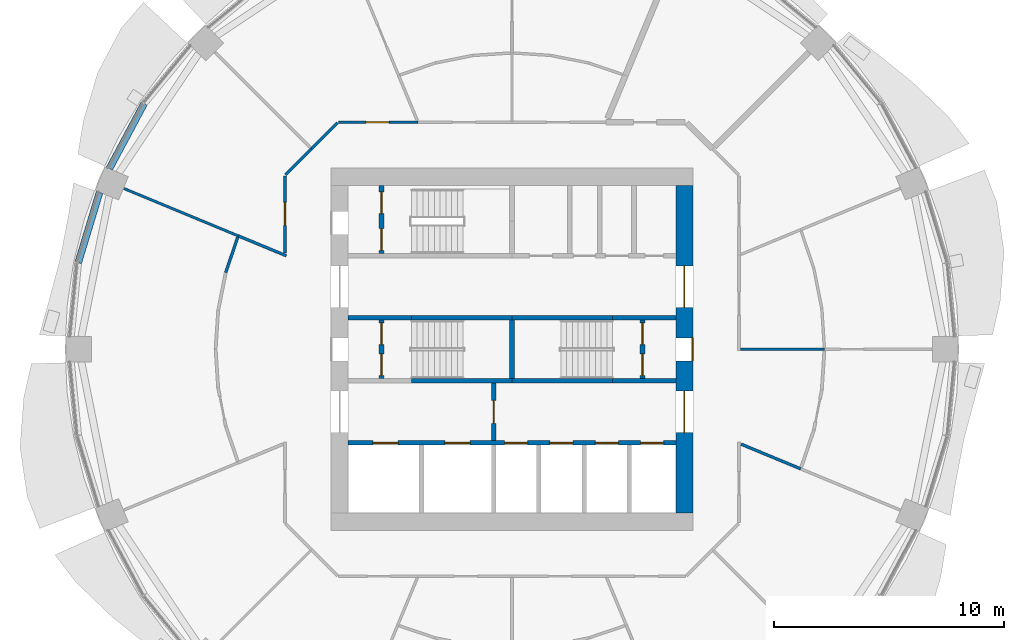
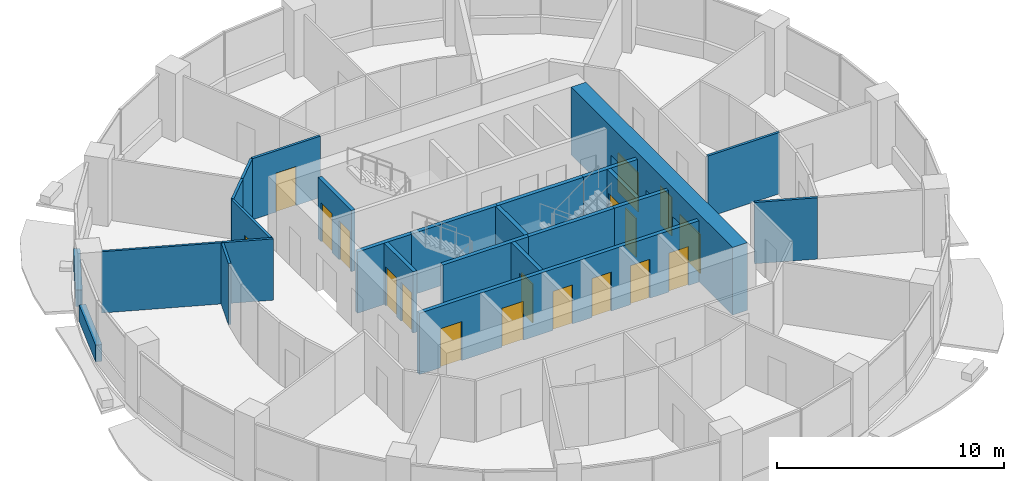
# One storey, part 9 of 15: 25 walls, 18 doors, 18 openings.
"""IFC4 building model written with IfcOpenShell, lengths in metres."""

from ifc_helpers import new_model, si_unit, direction, frame, frame_2d, origin, place, context, subcontext, project, spatial, rectangle, extrude, material, layer, layer_set, type_object, element, fill, save


model = new_model("IFC4")

# Units and contexts
model_context = context("Model", 3, precision=1e-05, world=origin(), true_north=direction((0.0, 1.0)))
body_context = subcontext(model_context, "Body", "Model", "MODEL_VIEW")
ifc_project = project(units=[si_unit("LENGTHUNIT", "METRE"), si_unit("AREAUNIT", "SQUARE_METRE"), si_unit("VOLUMEUNIT", "CUBIC_METRE"), si_unit("PLANEANGLEUNIT", "RADIAN"), si_unit("MASSUNIT", "GRAM", prefix="KILO")], contexts=[model_context])

# Site, building, storey
site_placement = place(None, origin())
site = spatial("IfcSite", under=ifc_project, at=site_placement, CompositionType="ELEMENT")
building_placement = place(site_placement, origin())
building = spatial("IfcBuilding", under=site, at=building_placement, Name="Polderwave Tower", CompositionType="ELEMENT")
storey_placement = place(building_placement, frame((0.0, 0.0, 80.050048828125)))
storey = spatial("IfcBuildingStorey", under=building, at=storey_placement, Name="L20", CompositionType="ELEMENT", Elevation=80.050048828125)

# Wall, openings, doors
ifc_material_1 = material(Name="Concrete C70/85", Category="concrete")
ifc_layer_1 = layer(ifc_material_1, 0.75)
ifc_layer_set_1 = layer_set([ifc_layer_1], Name="CORE WALL 750 C70/85")
wall_type_1 = type_object("IfcWallType", Name="CORE WALL 750 C70/85", PredefinedType="SHEAR", material=ifc_layer_set_1)
wall_1_placement = place(storey_placement, frame((7.4990234375, -7.1240234375, 0.0), z_axis=(0.0, 0.0, 1.0), x_axis=(0.0, 1.0, 0.0)))
wall_1 = element("IfcWall", 1, at=wall_1_placement, inside=storey, type_object=wall_type_1, Name="ST-CORE-L20-E", PredefinedType="SHEAR", context=body_context, shape_type="SweptSolid", body=[
    extrude(rectangle(XDim=14.248046875, YDim=0.75, at=frame_2d((7.1240234375, 0.0))), origin(), (0.0, 0.0, 1.0), 3.64990234375),
])
opening_1_placement = place(wall_1_placement, frame((6.6240234375, 0.0, 0.0)))
opening_1 = element("IfcOpeningElement", 2, at=opening_1_placement, cuts=wall_1, Name="Opening L20-D22", PredefinedType="OPENING", context=body_context, shape_type="SweptSolid", body=[
    extrude(rectangle(XDim=1.0, YDim=2.10009765625, at=frame_2d((0.5, 1.050048828125))), frame((0.0, 0.385009765625, 0.0), z_axis=(0.0, -1.0, 0.0), x_axis=(1.0, 0.0, 0.0)), (0.0, 0.0, 1.0), 0.77001953125),
])
opening_2_placement = place(wall_1_placement, frame((3.49951171875, 0.0, 0.0)))
opening_2 = element("IfcOpeningElement", 3, at=opening_2_placement, cuts=wall_1, Name="Opening L20-D23", PredefinedType="OPENING", context=body_context, shape_type="SweptSolid", body=[
    extrude(rectangle(XDim=1.800048828125, YDim=2.10009765625, at=frame_2d((0.89990234375, 1.050048828125))), frame((0.0, 0.385009765625, 0.0), z_axis=(0.0, -1.0, 0.0), x_axis=(1.0, 0.0, 0.0)), (0.0, 0.0, 1.0), 0.77001953125),
])
opening_3_placement = place(wall_1_placement, frame((8.948486328125, 0.0, 0.0)))
opening_3 = element("IfcOpeningElement", 4, at=opening_3_placement, cuts=wall_1, Name="Opening L20-D24", PredefinedType="OPENING", context=body_context, shape_type="SweptSolid", body=[
    extrude(rectangle(XDim=1.800048828125, YDim=2.10009765625, at=frame_2d((0.89990234375, 1.050048828125))), frame((0.0, 0.385009765625, 0.0), z_axis=(0.0, -1.0, 0.0), x_axis=(1.0, 0.0, 0.0)), (0.0, 0.0, 1.0), 0.77001953125),
])
ifc_material_2 = material(Name="Steel fire door", Category="steel")
door_type_1 = type_object("IfcDoorType", Name="Lobby entry door pair 1800", OperationType="DOUBLE_DOOR_SINGLE_SWING", PredefinedType="DOOR", material=ifc_material_2)
door_1_placement = place(opening_2_placement, frame((1.800048828125, 0.0, 0.0), z_axis=(0.0, 0.0, 1.0), x_axis=(-1.0, 0.0, 0.0)))
door_1 = element("IfcDoor", 5, at=door_1_placement, inside=storey, type_object=door_type_1, Name="South lobby entry door", OperationType="DOUBLE_DOOR_SINGLE_SWING", OverallHeight=2.10009765625, OverallWidth=1.800048828125, PredefinedType="DOOR", context=body_context, shape_type="SweptSolid", body=[
    extrude(rectangle(XDim=1.800048828125, YDim=2.10009765625, at=frame_2d((0.89990234375, 1.050048828125))), frame((0.0, 0.02490234375, 0.0), z_axis=(0.0, -1.0, 0.0), x_axis=(1.0, 0.0, 0.0)), (0.0, 0.0, 1.0), 0.050048828125),
])
fill(opening_2, door_1)
door_2_placement = place(opening_3_placement, frame((1.800048828125, 0.0, 0.0), z_axis=(0.0, 0.0, 1.0), x_axis=(-1.0, 0.0, 0.0)))
door_2 = element("IfcDoor", 6, at=door_2_placement, inside=storey, type_object=door_type_1, Name="North lobby entry door", OperationType="DOUBLE_DOOR_SINGLE_SWING", OverallHeight=2.10009765625, OverallWidth=1.800048828125, PredefinedType="DOOR", context=body_context, shape_type="SweptSolid", body=[
    extrude(rectangle(XDim=1.800048828125, YDim=2.10009765625, at=frame_2d((0.89990234375, 1.050048828125))), frame((0.0, 0.02490234375, 0.0), z_axis=(0.0, -1.0, 0.0), x_axis=(1.0, 0.0, 0.0)), (0.0, 0.0, 1.0), 0.050048828125),
])
fill(opening_3, door_2)
door_type_2 = type_object("IfcDoorType", Name="Stair door 1000", OperationType="NOTDEFINED", PredefinedType="DOOR", material=ifc_material_2)
door_3_placement = place(opening_1_placement, frame((1.0, 0.0, 0.0), z_axis=(0.0, 0.0, 1.0), x_axis=(-1.0, 0.0, 0.0)))
door_3 = element("IfcDoor", 7, at=door_3_placement, inside=storey, type_object=door_type_2, Name="Stair B entry door", OperationType="SINGLE_SWING_LEFT", OverallHeight=2.10009765625, OverallWidth=1.0, PredefinedType="DOOR", context=body_context, shape_type="SweptSolid", body=[
    extrude(rectangle(XDim=1.0, YDim=2.10009765625, at=frame_2d((0.5, 1.050048828125))), frame((0.0, 0.375, 0.0), z_axis=(0.0, -1.0, 0.0), x_axis=(1.0, 0.0, 0.0)), (0.0, 0.0, 1.0), 0.050048828125),
])
fill(opening_1, door_3)

# Walls
ifc_material_3 = material(Name="Concrete C50/60 (board-marked)", Category="concrete")
ifc_layer_2 = layer(ifc_material_3, 0.300048828125)
ifc_layer_set_2 = layer_set([ifc_layer_2], Name="Concrete spandrel upstand C50/60")
wall_type_2 = type_object("IfcWallType", Name="Concrete spandrel upstand C50/60", PredefinedType="SOLIDWALL", material=ifc_layer_set_2)
wall_2_placement = place(storey_placement, frame((-16.004150390625, 10.67578125, 0.0), z_axis=(0.0, 0.0, 1.0), x_axis=(-0.471354692163, -0.8819437364, 0.0)))
element("IfcWall", 8, at=wall_2_placement, inside=storey, type_object=wall_type_2, Name="Spandrel L20 7b", PredefinedType="SOLIDWALL", context=body_context, shape_type="SweptSolid", body=[
    extrude(rectangle(XDim=3.190185546875, YDim=0.300048828125, at=frame_2d((1.59521484375, 0.0))), origin(), (0.0, 0.0, 1.0), 0.89990234375),
])
wall_3_placement = place(storey_placement, frame((-17.939453125, 6.820556640625, 0.0), z_axis=(0.0, 0.0, 1.0), x_axis=(-0.290238876314, -0.956954228099, 0.0)))
element("IfcWall", 9, at=wall_3_placement, inside=storey, type_object=wall_type_2, Name="Spandrel L20 8a", PredefinedType="SOLIDWALL", context=body_context, shape_type="SweptSolid", body=[
    extrude(rectangle(XDim=3.190673828125, YDim=0.300048828125, at=frame_2d((1.59521484375, 0.0))), origin(), (0.0, 0.0, 1.0), 0.89990234375),
])

# Wall, opening, door
ifc_material_4 = material(Name="Gypsum board partition")
ifc_layer_3 = layer(ifc_material_4, 0.199951171875)
ifc_layer_set_3 = layer_set([ifc_layer_3], Name="Core room partition 200")
wall_type_3 = type_object("IfcWallType", Name="Core room partition 200", PredefinedType="PARTITIONING", material=ifc_layer_set_3)
wall_4_placement = place(storey_placement, frame((-0.800048828125, -3.97412109375, 0.0), z_axis=(0.0, 0.0, 1.0), x_axis=(0.0, 1.0, 0.0)))
wall_4 = element("IfcWall", 10, at=wall_4_placement, inside=storey, type_object=wall_type_3, Name="L20 fire-fighting lobby wall", PredefinedType="PARTITIONING", context=body_context, shape_type="SweptSolid", body=[
    extrude(rectangle(XDim=2.4990234375, YDim=0.199951171875, at=frame_2d((1.24951171875, 0.0))), origin(), (0.0, 0.0, 1.0), 3.300048828125),
])
opening_4_placement = place(wall_4_placement, frame((0.74951171875, 0.0, 0.0)))
opening_4 = element("IfcOpeningElement", 11, at=opening_4_placement, cuts=wall_4, Name="Opening L20-D13", PredefinedType="OPENING", context=body_context, shape_type="SweptSolid", body=[
    extrude(rectangle(XDim=1.0, YDim=2.10009765625, at=frame_2d((0.5, 1.050048828125))), frame((0.0, 0.10986328125, 0.0), z_axis=(0.0, -1.0, 0.0), x_axis=(1.0, 0.0, 0.0)), (0.0, 0.0, 1.0), 0.219970703125),
])
door_type_3 = type_object("IfcDoorType", Name="Lobby fire door 1000", OperationType="NOTDEFINED", PredefinedType="DOOR", material=ifc_material_2)
door_4_placement = place(opening_4_placement, frame((1.0, 0.0, 0.0), z_axis=(0.0, 0.0, 1.0), x_axis=(-1.0, 0.0, 0.0)))
door_4 = element("IfcDoor", 12, at=door_4_placement, inside=storey, type_object=door_type_3, Name="Fire-fighting lobby door", OperationType="SINGLE_SWING_LEFT", OverallHeight=2.10009765625, OverallWidth=1.0, PredefinedType="DOOR", context=body_context, shape_type="SweptSolid", body=[
    extrude(rectangle(XDim=1.0, YDim=2.10009765625, at=frame_2d((0.5, 1.050048828125))), frame((0.0, 0.02490234375, 0.0), z_axis=(0.0, -1.0, 0.0), x_axis=(1.0, 0.0, 0.0)), (0.0, 0.0, 1.0), 0.050048828125),
])
fill(opening_4, door_4)

# Wall, openings, doors
wall_5_placement = place(storey_placement, frame((-5.674072265625, -1.27490234375, 0.0), z_axis=(0.0, 0.0, 1.0), x_axis=(0.0, 1.0, 0.0)))
wall_5 = element("IfcWall", 13, at=wall_5_placement, inside=storey, type_object=wall_type_3, Name="L20 smoke lobby wall A", PredefinedType="PARTITIONING", context=body_context, shape_type="SweptSolid", body=[
    extrude(rectangle(XDim=2.5498046875, YDim=0.199951171875, at=frame_2d((1.27490234375, 0.0))), origin(), (0.0, 0.0, 1.0), 3.300048828125),
])
opening_5_placement = place(wall_5_placement, frame((0.125, 0.0, 0.0)))
opening_5 = element("IfcOpeningElement", 14, at=opening_5_placement, cuts=wall_5, Name="Opening L20-D07", PredefinedType="OPENING", context=body_context, shape_type="SweptSolid", body=[
    extrude(rectangle(XDim=0.949951171875, YDim=2.10009765625, at=frame_2d((0.47509765625, 1.050048828125))), frame((0.0, 0.10986328125, 0.0), z_axis=(0.0, -1.0, 0.0), x_axis=(1.0, 0.0, 0.0)), (0.0, 0.0, 1.0), 0.219970703125),
])
opening_6_placement = place(wall_5_placement, frame((1.47509765625, 0.0, 0.0)))
opening_6 = element("IfcOpeningElement", 15, at=opening_6_placement, cuts=wall_5, Name="Opening L20-D08", PredefinedType="OPENING", context=body_context, shape_type="SweptSolid", body=[
    extrude(rectangle(XDim=0.949951171875, YDim=2.10009765625, at=frame_2d((0.47509765625, 1.050048828125))), frame((0.0, 0.10986328125, 0.0), z_axis=(0.0, -1.0, 0.0), x_axis=(1.0, 0.0, 0.0)), (0.0, 0.0, 1.0), 0.219970703125),
])
door_type_4 = type_object("IfcDoorType", Name="Smoke lobby door 950", OperationType="NOTDEFINED", PredefinedType="DOOR", material=ifc_material_2)
door_5_placement = place(opening_5_placement, origin())
door_5 = element("IfcDoor", 16, at=door_5_placement, inside=storey, type_object=door_type_4, Name="Stair A smoke lobby inner door", OperationType="SINGLE_SWING_LEFT", OverallHeight=2.10009765625, OverallWidth=0.949951171875, PredefinedType="DOOR", context=body_context, shape_type="SweptSolid", body=[
    extrude(rectangle(XDim=0.949951171875, YDim=2.10009765625, at=frame_2d((0.47509765625, 1.050048828125))), frame((0.0, 0.02490234375, 0.0), z_axis=(0.0, -1.0, 0.0), x_axis=(1.0, 0.0, 0.0)), (0.0, 0.0, 1.0), 0.050048828125),
])
fill(opening_5, door_5)
door_6_placement = place(opening_6_placement, origin())
door_6 = element("IfcDoor", 17, at=door_6_placement, inside=storey, type_object=door_type_4, Name="Stair A smoke lobby inner door", OperationType="SINGLE_SWING_RIGHT", OverallHeight=2.10009765625, OverallWidth=0.949951171875, PredefinedType="DOOR", context=body_context, shape_type="SweptSolid", body=[
    extrude(rectangle(XDim=0.949951171875, YDim=2.10009765625, at=frame_2d((0.47509765625, 1.050048828125))), frame((0.0, 0.02490234375, 0.0), z_axis=(0.0, -1.0, 0.0), x_axis=(1.0, 0.0, 0.0)), (0.0, 0.0, 1.0), 0.050048828125),
])
fill(opening_6, door_6)

wall_6_placement = place(storey_placement, frame((5.674072265625, -1.27490234375, 0.0), z_axis=(0.0, 0.0, 1.0), x_axis=(0.0, 1.0, 0.0)))
wall_6 = element("IfcWall", 18, at=wall_6_placement, inside=storey, type_object=wall_type_3, Name="L20 smoke lobby wall B", PredefinedType="PARTITIONING", context=body_context, shape_type="SweptSolid", body=[
    extrude(rectangle(XDim=2.5498046875, YDim=0.199951171875, at=frame_2d((1.27490234375, 0.0))), origin(), (0.0, 0.0, 1.0), 3.300048828125),
])
opening_7_placement = place(wall_6_placement, frame((0.125, 0.0, 0.0)))
opening_7 = element("IfcOpeningElement", 19, at=opening_7_placement, cuts=wall_6, Name="Opening L20-D09", PredefinedType="OPENING", context=body_context, shape_type="SweptSolid", body=[
    extrude(rectangle(XDim=0.949951171875, YDim=2.10009765625, at=frame_2d((0.47509765625, 1.050048828125))), frame((0.0, 0.10986328125, 0.0), z_axis=(0.0, -1.0, 0.0), x_axis=(1.0, 0.0, 0.0)), (0.0, 0.0, 1.0), 0.219970703125),
])
opening_8_placement = place(wall_6_placement, frame((1.47509765625, 0.0, 0.0)))
opening_8 = element("IfcOpeningElement", 20, at=opening_8_placement, cuts=wall_6, Name="Opening L20-D10", PredefinedType="OPENING", context=body_context, shape_type="SweptSolid", body=[
    extrude(rectangle(XDim=0.949951171875, YDim=2.10009765625, at=frame_2d((0.47509765625, 1.050048828125))), frame((0.0, 0.10986328125, 0.0), z_axis=(0.0, -1.0, 0.0), x_axis=(1.0, 0.0, 0.0)), (0.0, 0.0, 1.0), 0.219970703125),
])
door_7_placement = place(opening_7_placement, frame((0.949951171875, 0.0, 0.0), z_axis=(0.0, 0.0, 1.0), x_axis=(-1.0, 0.0, 0.0)))
door_7 = element("IfcDoor", 21, at=door_7_placement, inside=storey, type_object=door_type_4, Name="Stair B smoke lobby inner door", OperationType="SINGLE_SWING_RIGHT", OverallHeight=2.10009765625, OverallWidth=0.949951171875, PredefinedType="DOOR", context=body_context, shape_type="SweptSolid", body=[
    extrude(rectangle(XDim=0.949951171875, YDim=2.10009765625, at=frame_2d((0.47509765625, 1.050048828125))), frame((0.0, 0.02490234375, 0.0), z_axis=(0.0, -1.0, 0.0), x_axis=(1.0, 0.0, 0.0)), (0.0, 0.0, 1.0), 0.050048828125),
])
fill(opening_7, door_7)
door_8_placement = place(opening_8_placement, frame((0.949951171875, 0.0, 0.0), z_axis=(0.0, 0.0, 1.0), x_axis=(-1.0, 0.0, 0.0)))
door_8 = element("IfcDoor", 22, at=door_8_placement, inside=storey, type_object=door_type_4, Name="Stair B smoke lobby inner door", OperationType="SINGLE_SWING_LEFT", OverallHeight=2.10009765625, OverallWidth=0.949951171875, PredefinedType="DOOR", context=body_context, shape_type="SweptSolid", body=[
    extrude(rectangle(XDim=0.949951171875, YDim=2.10009765625, at=frame_2d((0.47509765625, 1.050048828125))), frame((0.0, 0.02490234375, 0.0), z_axis=(0.0, -1.0, 0.0), x_axis=(1.0, 0.0, 0.0)), (0.0, 0.0, 1.0), 0.050048828125),
])
fill(opening_8, door_8)

wall_7_placement = place(storey_placement, frame((-5.674072265625, 4.174072265625, 0.0), z_axis=(0.0, 0.0, 1.0), x_axis=(0.0, 1.0, 0.0)))
wall_7 = element("IfcWall", 23, at=wall_7_placement, inside=storey, type_object=wall_type_3, Name="L20 smoke lobby wall C", PredefinedType="PARTITIONING", context=body_context, shape_type="SweptSolid", body=[
    extrude(rectangle(XDim=2.949951171875, YDim=0.199951171875, at=frame_2d((1.47509765625, 0.0))), origin(), (0.0, 0.0, 1.0), 3.300048828125),
])
opening_9_placement = place(wall_7_placement, frame((0.125, 0.0, 0.0)))
opening_9 = element("IfcOpeningElement", 24, at=opening_9_placement, cuts=wall_7, Name="Opening L20-D11", PredefinedType="OPENING", context=body_context, shape_type="SweptSolid", body=[
    extrude(rectangle(XDim=0.949951171875, YDim=2.10009765625, at=frame_2d((0.47509765625, 1.050048828125))), frame((0.0, 0.10986328125, 0.0), z_axis=(0.0, -1.0, 0.0), x_axis=(1.0, 0.0, 0.0)), (0.0, 0.0, 1.0), 0.219970703125),
])
opening_10_placement = place(wall_7_placement, frame((1.72509765625, 0.0, 0.0)))
opening_10 = element("IfcOpeningElement", 25, at=opening_10_placement, cuts=wall_7, Name="Opening L20-D12", PredefinedType="OPENING", context=body_context, shape_type="SweptSolid", body=[
    extrude(rectangle(XDim=0.949951171875, YDim=2.10009765625, at=frame_2d((0.47509765625, 1.050048828125))), frame((0.0, 0.10986328125, 0.0), z_axis=(0.0, -1.0, 0.0), x_axis=(1.0, 0.0, 0.0)), (0.0, 0.0, 1.0), 0.219970703125),
])
door_9_placement = place(opening_9_placement, origin())
door_9 = element("IfcDoor", 26, at=door_9_placement, inside=storey, type_object=door_type_4, Name="Stair C smoke lobby inner door", OperationType="SINGLE_SWING_LEFT", OverallHeight=2.10009765625, OverallWidth=0.949951171875, PredefinedType="DOOR", context=body_context, shape_type="SweptSolid", body=[
    extrude(rectangle(XDim=0.949951171875, YDim=2.10009765625, at=frame_2d((0.47509765625, 1.050048828125))), frame((0.0, 0.02490234375, 0.0), z_axis=(0.0, -1.0, 0.0), x_axis=(1.0, 0.0, 0.0)), (0.0, 0.0, 1.0), 0.050048828125),
])
fill(opening_9, door_9)
door_10_placement = place(opening_10_placement, origin())
door_10 = element("IfcDoor", 27, at=door_10_placement, inside=storey, type_object=door_type_4, Name="Stair C smoke lobby inner door", OperationType="SINGLE_SWING_RIGHT", OverallHeight=2.10009765625, OverallWidth=0.949951171875, PredefinedType="DOOR", context=body_context, shape_type="SweptSolid", body=[
    extrude(rectangle(XDim=0.949951171875, YDim=2.10009765625, at=frame_2d((0.47509765625, 1.050048828125))), frame((0.0, 0.02490234375, 0.0), z_axis=(0.0, -1.0, 0.0), x_axis=(1.0, 0.0, 0.0)), (0.0, 0.0, 1.0), 0.050048828125),
])
fill(opening_10, door_10)

ifc_material_5 = material(Name="Concrete C50/60", Category="concrete")
ifc_layer_4 = layer(ifc_material_5, 0.199951171875)
ifc_layer_set_4 = layer_set([ifc_layer_4], Name="Core web wall 200")
wall_type_4 = type_object("IfcWallType", Name="Core web wall 200", PredefinedType="SHEAR", material=ifc_layer_set_4)
wall_8_placement = place(storey_placement, frame((-7.1240234375, -4.073974609375, 0.0), z_axis=(0.0, 0.0, 1.0), x_axis=(1.0, 0.0, 0.0)))
wall_8 = element("IfcWall", 28, at=wall_8_placement, inside=storey, type_object=wall_type_4, Name="L20 south front wall", PredefinedType="SHEAR", context=body_context, shape_type="SweptSolid", body=[
    extrude(rectangle(XDim=14.248046875, YDim=0.199951171875, at=frame_2d((7.1240234375, 0.0))), origin(), (0.0, 0.0, 1.0), 3.300048828125),
])
opening_11_placement = place(wall_8_placement, frame((1.068603515625, 0.0, 0.0)))
opening_11 = element("IfcOpeningElement", 29, at=opening_11_placement, cuts=wall_8, Name="Opening L20-D01", PredefinedType="OPENING", context=body_context, shape_type="SweptSolid", body=[
    extrude(rectangle(XDim=1.10009765625, YDim=2.10009765625, at=frame_2d((0.550048828125, 1.050048828125))), frame((0.0, 0.10986328125, 0.0), z_axis=(0.0, -1.0, 0.0), x_axis=(1.0, 0.0, 0.0)), (0.0, 0.0, 1.0), 0.219970703125),
])
opening_12_placement = place(wall_8_placement, frame((4.20556640625, 0.0, 0.0)))
opening_12 = element("IfcOpeningElement", 30, at=opening_12_placement, cuts=wall_8, Name="Opening L20-D02", PredefinedType="OPENING", context=body_context, shape_type="SweptSolid", body=[
    extrude(rectangle(XDim=1.10009765625, YDim=2.10009765625, at=frame_2d((0.550048828125, 1.050048828125))), frame((0.0, 0.10986328125, 0.0), z_axis=(0.0, -1.0, 0.0), x_axis=(1.0, 0.0, 0.0)), (0.0, 0.0, 1.0), 0.219970703125),
])
opening_13_placement = place(wall_8_placement, frame((6.80810546875, 0.0, 0.0)))
opening_13 = element("IfcOpeningElement", 31, at=opening_13_placement, cuts=wall_8, Name="Opening L20-D03", PredefinedType="OPENING", context=body_context, shape_type="SweptSolid", body=[
    extrude(rectangle(XDim=1.0, YDim=2.10009765625, at=frame_2d((0.5, 1.050048828125))), frame((0.0, 0.10986328125, 0.0), z_axis=(0.0, -1.0, 0.0), x_axis=(1.0, 0.0, 0.0)), (0.0, 0.0, 1.0), 0.219970703125),
])
opening_14_placement = place(wall_8_placement, frame((8.776611328125, 0.0, 0.0)))
opening_14 = element("IfcOpeningElement", 32, at=opening_14_placement, cuts=wall_8, Name="Opening L20-D04", PredefinedType="OPENING", context=body_context, shape_type="SweptSolid", body=[
    extrude(rectangle(XDim=1.0, YDim=2.10009765625, at=frame_2d((0.5, 1.050048828125))), frame((0.0, 0.10986328125, 0.0), z_axis=(0.0, -1.0, 0.0), x_axis=(1.0, 0.0, 0.0)), (0.0, 0.0, 1.0), 0.219970703125),
])
opening_15_placement = place(wall_8_placement, frame((10.7451171875, 0.0, 0.0)))
opening_15 = element("IfcOpeningElement", 33, at=opening_15_placement, cuts=wall_8, Name="Opening L20-D05", PredefinedType="OPENING", context=body_context, shape_type="SweptSolid", body=[
    extrude(rectangle(XDim=1.0, YDim=2.10009765625, at=frame_2d((0.5, 1.050048828125))), frame((0.0, 0.10986328125, 0.0), z_axis=(0.0, -1.0, 0.0), x_axis=(1.0, 0.0, 0.0)), (0.0, 0.0, 1.0), 0.219970703125),
])
opening_16_placement = place(wall_8_placement, frame((12.7138671875, 0.0, 0.0)))
opening_16 = element("IfcOpeningElement", 34, at=opening_16_placement, cuts=wall_8, Name="Opening L20-D06", PredefinedType="OPENING", context=body_context, shape_type="SweptSolid", body=[
    extrude(rectangle(XDim=1.0, YDim=2.10009765625, at=frame_2d((0.5, 1.050048828125))), frame((0.0, 0.10986328125, 0.0), z_axis=(0.0, -1.0, 0.0), x_axis=(1.0, 0.0, 0.0)), (0.0, 0.0, 1.0), 0.219970703125),
])
ifc_material_6 = material(Name="Stainless steel", Category="steel")
door_type_5 = type_object("IfcDoorType", Name="Fire-fighting lift landing door 1100", OperationType="DOUBLE_DOOR_SLIDING", PredefinedType="DOOR", material=ifc_material_6)
door_11_placement = place(opening_11_placement, origin())
door_11 = element("IfcDoor", 35, at=door_11_placement, inside=storey, type_object=door_type_5, Name="Fire-fighting lift FF1 landing door", OperationType="DOUBLE_DOOR_SLIDING", OverallHeight=2.10009765625, OverallWidth=1.10009765625, PredefinedType="DOOR", context=body_context, shape_type="SweptSolid", body=[
    extrude(rectangle(XDim=1.10009765625, YDim=2.10009765625, at=frame_2d((0.550048828125, 1.050048828125))), frame((0.0, 0.02490234375, 0.0), z_axis=(0.0, -1.0, 0.0), x_axis=(1.0, 0.0, 0.0)), (0.0, 0.0, 1.0), 0.050048828125),
])
fill(opening_11, door_11)
door_12_placement = place(opening_12_placement, origin())
door_12 = element("IfcDoor", 36, at=door_12_placement, inside=storey, type_object=door_type_5, Name="Fire-fighting lift FF2 landing door", OperationType="DOUBLE_DOOR_SLIDING", OverallHeight=2.10009765625, OverallWidth=1.10009765625, PredefinedType="DOOR", context=body_context, shape_type="SweptSolid", body=[
    extrude(rectangle(XDim=1.10009765625, YDim=2.10009765625, at=frame_2d((0.550048828125, 1.050048828125))), frame((0.0, 0.02490234375, 0.0), z_axis=(0.0, -1.0, 0.0), x_axis=(1.0, 0.0, 0.0)), (0.0, 0.0, 1.0), 0.050048828125),
])
fill(opening_12, door_12)
door_type_6 = type_object("IfcDoorType", Name="Lift landing door 1000", OperationType="DOUBLE_DOOR_SLIDING", PredefinedType="DOOR", material=ifc_material_6)
door_13_placement = place(opening_13_placement, origin())
door_13 = element("IfcDoor", 37, at=door_13_placement, inside=storey, type_object=door_type_6, Name="Lift LL1 landing door", OperationType="DOUBLE_DOOR_SLIDING", OverallHeight=2.10009765625, OverallWidth=1.0, PredefinedType="DOOR", context=body_context, shape_type="SweptSolid", body=[
    extrude(rectangle(XDim=1.0, YDim=2.10009765625, at=frame_2d((0.5, 1.050048828125))), frame((0.0, 0.02490234375, 0.0), z_axis=(0.0, -1.0, 0.0), x_axis=(1.0, 0.0, 0.0)), (0.0, 0.0, 1.0), 0.050048828125),
])
fill(opening_13, door_13)
door_14_placement = place(opening_14_placement, origin())
door_14 = element("IfcDoor", 38, at=door_14_placement, inside=storey, type_object=door_type_6, Name="Lift LL2 landing door", OperationType="DOUBLE_DOOR_SLIDING", OverallHeight=2.10009765625, OverallWidth=1.0, PredefinedType="DOOR", context=body_context, shape_type="SweptSolid", body=[
    extrude(rectangle(XDim=1.0, YDim=2.10009765625, at=frame_2d((0.5, 1.050048828125))), frame((0.0, 0.02490234375, 0.0), z_axis=(0.0, -1.0, 0.0), x_axis=(1.0, 0.0, 0.0)), (0.0, 0.0, 1.0), 0.050048828125),
])
fill(opening_14, door_14)
door_15_placement = place(opening_15_placement, origin())
door_15 = element("IfcDoor", 39, at=door_15_placement, inside=storey, type_object=door_type_6, Name="Lift LL3 landing door", OperationType="DOUBLE_DOOR_SLIDING", OverallHeight=2.10009765625, OverallWidth=1.0, PredefinedType="DOOR", context=body_context, shape_type="SweptSolid", body=[
    extrude(rectangle(XDim=1.0, YDim=2.10009765625, at=frame_2d((0.5, 1.050048828125))), frame((0.0, 0.02490234375, 0.0), z_axis=(0.0, -1.0, 0.0), x_axis=(1.0, 0.0, 0.0)), (0.0, 0.0, 1.0), 0.050048828125),
])
fill(opening_15, door_15)
door_16_placement = place(opening_16_placement, origin())
door_16 = element("IfcDoor", 40, at=door_16_placement, inside=storey, type_object=door_type_6, Name="Lift LL4 landing door", OperationType="DOUBLE_DOOR_SLIDING", OverallHeight=2.10009765625, OverallWidth=1.0, PredefinedType="DOOR", context=body_context, shape_type="SweptSolid", body=[
    extrude(rectangle(XDim=1.0, YDim=2.10009765625, at=frame_2d((0.5, 1.050048828125))), frame((0.0, 0.02490234375, 0.0), z_axis=(0.0, -1.0, 0.0), x_axis=(1.0, 0.0, 0.0)), (0.0, 0.0, 1.0), 0.050048828125),
])
fill(opening_16, door_16)

# Walls
for number, where, z_axis, x_axis, name in (
    (41, (-4.3740234375, -1.375, 0.0), (0.0, 0.0, 1.0), (1.0, 0.0, 0.0), "L20 south stair wall 2"),
    (42, (0.0, -1.375, 0.0), (0.0, 0.0, 1.0), (1.0, 0.0, 0.0), "L20 south stair wall 3"),
):
    element("IfcWall", number, at=place(storey_placement, frame(where, z_axis=z_axis, x_axis=x_axis)), inside=storey, type_object=wall_type_4, Name=name, PredefinedType="SHEAR", context=body_context, shape_type="SweptSolid", body=[
        extrude(rectangle(XDim=4.3740234375, YDim=0.199951171875, at=frame_2d((2.18701171875, 0.0))), origin(), (0.0, 0.0, 1.0), 3.300048828125),
    ])
for number, where, z_axis, x_axis, name in (
    (43, (4.3740234375, -1.375, 0.0), (0.0, 0.0, 1.0), (1.0, 0.0, 0.0), "L20 south stair wall 4"),
    (44, (-7.1240234375, 1.375, 0.0), (0.0, 0.0, 1.0), (1.0, 0.0, 0.0), "L20 north stair wall 1"),
):
    element("IfcWall", number, at=place(storey_placement, frame(where, z_axis=z_axis, x_axis=x_axis)), inside=storey, type_object=wall_type_4, Name=name, PredefinedType="SHEAR", context=body_context, shape_type="SweptSolid", body=[
        extrude(rectangle(XDim=2.75, YDim=0.199951171875, at=frame_2d((1.375, 0.0))), origin(), (0.0, 0.0, 1.0), 3.300048828125),
    ])
for number, where, z_axis, x_axis, name in (
    (45, (-4.3740234375, 1.375, 0.0), (0.0, 0.0, 1.0), (1.0, 0.0, 0.0), "L20 north stair wall 2"),
    (46, (0.0, 1.375, 0.0), (0.0, 0.0, 1.0), (1.0, 0.0, 0.0), "L20 north stair wall 3"),
):
    element("IfcWall", number, at=place(storey_placement, frame(where, z_axis=z_axis, x_axis=x_axis)), inside=storey, type_object=wall_type_4, Name=name, PredefinedType="SHEAR", context=body_context, shape_type="SweptSolid", body=[
        extrude(rectangle(XDim=4.3740234375, YDim=0.199951171875, at=frame_2d((2.18701171875, 0.0))), origin(), (0.0, 0.0, 1.0), 3.300048828125),
    ])
wall_9_placement = place(storey_placement, frame((4.3740234375, 1.375, 0.0), z_axis=(0.0, 0.0, 1.0), x_axis=(1.0, 0.0, 0.0)))
element("IfcWall", 47, at=wall_9_placement, inside=storey, type_object=wall_type_4, Name="L20 north stair wall 4", PredefinedType="SHEAR", context=body_context, shape_type="SweptSolid", body=[
    extrude(rectangle(XDim=2.75, YDim=0.199951171875, at=frame_2d((1.375, 0.0))), origin(), (0.0, 0.0, 1.0), 3.300048828125),
])
wall_10_placement = place(storey_placement, frame((0.0, -1.27490234375, 0.0), z_axis=(0.0, 0.0, 1.0), x_axis=(0.0, 1.0, 0.0)))
element("IfcWall", 48, at=wall_10_placement, inside=storey, type_object=wall_type_4, Name="L20 wall between the stairs", PredefinedType="SHEAR", context=body_context, shape_type="SweptSolid", body=[
    extrude(rectangle(XDim=2.5498046875, YDim=0.199951171875, at=frame_2d((1.27490234375, 0.0))), origin(), (0.0, 0.0, 1.0), 3.300048828125),
])
ifc_material_7 = material(Name="Fire-resisting board on steel studs", Category="steel")
ifc_layer_5 = layer(ifc_material_7, 0.125)
ifc_layer_set_5 = layer_set([ifc_layer_5], Name="Corridor wall 125 mm EI 60")
wall_type_5 = type_object("IfcWallType", Name="Corridor wall 125 mm EI 60", PredefinedType="PARTITIONING", material=ifc_layer_set_5)
wall_11_placement = place(storey_placement, frame((-8.722412109375, 8.722412109375, 0.0), z_axis=(0.0, 0.0, 1.0), x_axis=(0.707030604857, 0.70718294931, 0.0)))
element("IfcWall", 49, at=wall_11_placement, inside=storey, type_object=wall_type_5, Name="IN-L20-W010", PredefinedType="PARTITIONING", context=body_context, shape_type="SweptSolid", body=[
    extrude(rectangle(XDim=1.6025390625, YDim=0.125, at=frame_2d((0.80126953125, 0.0))), origin(), (0.0, 0.0, 1.0), 3.300048828125),
])

# Wall, opening, door
wall_12_placement = place(storey_placement, frame((-7.545166015625, 9.8740234375, 0.0), z_axis=(0.0, 0.0, 1.0), x_axis=(1.0, 0.0, 0.0)))
wall_12 = element("IfcWall", 50, at=wall_12_placement, inside=storey, type_object=wall_type_5, Name="IN-L20-W011", PredefinedType="PARTITIONING", context=body_context, shape_type="SweptSolid", body=[
    extrude(rectangle(XDim=3.455322265625, YDim=0.125, at=frame_2d((1.7275390625, 0.0))), origin(), (0.0, 0.0, 1.0), 3.300048828125),
])
opening_17_placement = place(wall_12_placement, frame((1.199951171875, 0.0, 0.0)))
opening_17 = element("IfcOpeningElement", 51, at=opening_17_placement, cuts=wall_12, Name="Opening L20-D56", PredefinedType="OPENING", context=body_context, shape_type="SweptSolid", body=[
    extrude(rectangle(XDim=1.0, YDim=2.10009765625, at=frame_2d((0.5, 1.050048828125))), frame((0.0, 0.072509765625, 0.0), z_axis=(0.0, -1.0, 0.0), x_axis=(1.0, 0.0, 0.0)), (0.0, 0.0, 1.0), 0.14501953125),
])
ifc_material_8 = material(Name="Timber fire door leaf", Category="wood")
door_type_7 = type_object("IfcDoorType", Name="Fire door FD30S 1000 x 2100", OperationType="NOTDEFINED", PredefinedType="DOOR", material=ifc_material_8)
door_17_placement = place(opening_17_placement, origin())
door_17 = element("IfcDoor", 52, at=door_17_placement, inside=storey, type_object=door_type_7, Name="Door L20-D56", OperationType="SINGLE_SWING_LEFT", OverallHeight=2.10009765625, OverallWidth=1.0, PredefinedType="DOOR", context=body_context, shape_type="SweptSolid", body=[
    extrude(rectangle(XDim=1.0, YDim=2.10009765625, at=frame_2d((0.5, 1.050048828125))), frame((0.0, 0.02490234375, 0.0), z_axis=(0.0, -1.0, 0.0), x_axis=(1.0, 0.0, 0.0)), (0.0, 0.0, 1.0), 0.050048828125),
])
fill(opening_17, door_17)

wall_13_placement = place(storey_placement, frame((-9.8740234375, 4.183349609375, 0.0), z_axis=(0.0, 0.0, 1.0), x_axis=(0.0, 1.0, 0.0)))
wall_13 = element("IfcWall", 53, at=wall_13_placement, inside=storey, type_object=wall_type_5, Name="IN-L20-W012", PredefinedType="PARTITIONING", context=body_context, shape_type="SweptSolid", body=[
    extrude(rectangle(XDim=3.36181640625, YDim=0.125, at=frame_2d((1.680908203125, 0.0))), origin(), (0.0, 0.0, 1.0), 3.300048828125),
])
opening_18_placement = place(wall_13_placement, frame((1.199951171875, 0.0, 0.0)))
opening_18 = element("IfcOpeningElement", 54, at=opening_18_placement, cuts=wall_13, Name="Opening L20-D57", PredefinedType="OPENING", context=body_context, shape_type="SweptSolid", body=[
    extrude(rectangle(XDim=1.0, YDim=2.10009765625, at=frame_2d((0.5, 1.050048828125))), frame((0.0, 0.072509765625, 0.0), z_axis=(0.0, -1.0, 0.0), x_axis=(1.0, 0.0, 0.0)), (0.0, 0.0, 1.0), 0.14501953125),
])
door_18_placement = place(opening_18_placement, origin())
door_18 = element("IfcDoor", 55, at=door_18_placement, inside=storey, type_object=door_type_7, Name="Door L20-D57", OperationType="SINGLE_SWING_RIGHT", OverallHeight=2.10009765625, OverallWidth=1.0, PredefinedType="DOOR", context=body_context, shape_type="SweptSolid", body=[
    extrude(rectangle(XDim=1.0, YDim=2.10009765625, at=frame_2d((0.5, 1.050048828125))), frame((0.0, 0.02490234375, 0.0), z_axis=(0.0, -1.0, 0.0), x_axis=(1.0, 0.0, 0.0)), (0.0, 0.0, 1.0), 0.050048828125),
])
fill(opening_18, door_18)

# Walls
wall_14_placement = place(storey_placement, frame((-9.855712890625, 7.58935546875, 0.0), z_axis=(0.0, 0.0, 1.0), x_axis=(0.70718294931, 0.707030604857, 0.0)))
element("IfcWall", 56, at=wall_14_placement, inside=storey, type_object=wall_type_5, Name="IN-L20-W013", PredefinedType="PARTITIONING", context=body_context, shape_type="SweptSolid", body=[
    extrude(rectangle(XDim=1.6025390625, YDim=0.125, at=frame_2d((0.80126953125, 0.0))), origin(), (0.0, 0.0, 1.0), 3.300048828125),
])
wall_15_placement = place(storey_placement, frame((13.590087890625, 0.0, 0.0), z_axis=(0.0, 0.0, 1.0), x_axis=(-1.0, 0.0, 0.0)))
element("IfcWall", 57, at=wall_15_placement, inside=storey, type_object=wall_type_5, Name="IN-L20-W026", PredefinedType="PARTITIONING", context=body_context, shape_type="SweptSolid", body=[
    extrude(rectangle(XDim=3.653564453125, YDim=0.125, at=frame_2d((1.82666015625, 0.0))), origin(), (0.0, 0.0, 1.0), 3.300048828125),
])
wall_16_placement = place(storey_placement, frame((-9.81640625, 4.06591796875, 0.0), z_axis=(0.0, 0.0, 1.0), x_axis=(-0.923834180818, 0.382792902694, 0.0)))
element("IfcWall", 58, at=wall_16_placement, inside=storey, type_object=wall_type_5, Name="IN-L20-W043", PredefinedType="PARTITIONING", context=body_context, shape_type="SweptSolid", body=[
    extrude(rectangle(XDim=2.264892578125, YDim=0.125, at=frame_2d((1.13232421875, 0.0))), origin(), (0.0, 0.0, 1.0), 3.300048828125),
])
wall_17_placement = place(storey_placement, frame((-12.449462890625, 3.340087890625, 0.0), z_axis=(0.0, 0.0, 1.0), x_axis=(0.321347174615, 0.946961452947, 0.0)))
element("IfcWall", 59, at=wall_17_placement, inside=storey, type_object=wall_type_5, Name="IN-L20-W049", PredefinedType="PARTITIONING", context=body_context, shape_type="SweptSolid", body=[
    extrude(rectangle(XDim=1.615234375, YDim=0.125, at=frame_2d((0.8076171875, 0.0))), origin(), (0.0, 0.0, 1.0), 3.300048828125),
])
wall_18_placement = place(storey_placement, frame((9.96044921875, -4.125732421875, 0.0), z_axis=(0.0, 0.0, 1.0), x_axis=(0.923869574034, -0.382707473372, 0.0)))
element("IfcWall", 60, at=wall_18_placement, inside=storey, type_object=wall_type_5, Name="IN-L20-W067", PredefinedType="PARTITIONING", context=body_context, shape_type="SweptSolid", body=[
    extrude(rectangle(XDim=2.808837890625, YDim=0.125, at=frame_2d((1.404296875, 0.0))), origin(), (0.0, 0.0, 1.0), 3.300048828125),
])
ifc_material_9 = material(Name="Acoustic double plasterboard on steel studs", Category="steel")
ifc_layer_6 = layer(ifc_material_9, 0.110107421875)
ifc_layer_set_6 = layer_set([ifc_layer_6], Name="Partition 110 mm acoustic double board")
wall_type_6 = type_object("IfcWallType", Name="Partition 110 mm acoustic double board", PredefinedType="PARTITIONING", material=ifc_layer_set_6)
wall_19_placement = place(storey_placement, frame((-11.90869140625, 4.932861328125, 0.0), z_axis=(0.0, 0.0, 1.0), x_axis=(-0.923889947991, 0.382658286204, 0.0)))
element("IfcWall", 61, at=wall_19_placement, inside=storey, type_object=wall_type_6, Name="IN-L20-W044", PredefinedType="PARTITIONING", context=body_context, shape_type="SweptSolid", body=[
    extrude(rectangle(XDim=5.3701171875, YDim=0.110107421875, at=frame_2d((2.68505859375, 0.0))), origin(), (0.0, 0.0, 1.0), 3.300048828125),
])

save(model, "model.ifc")
